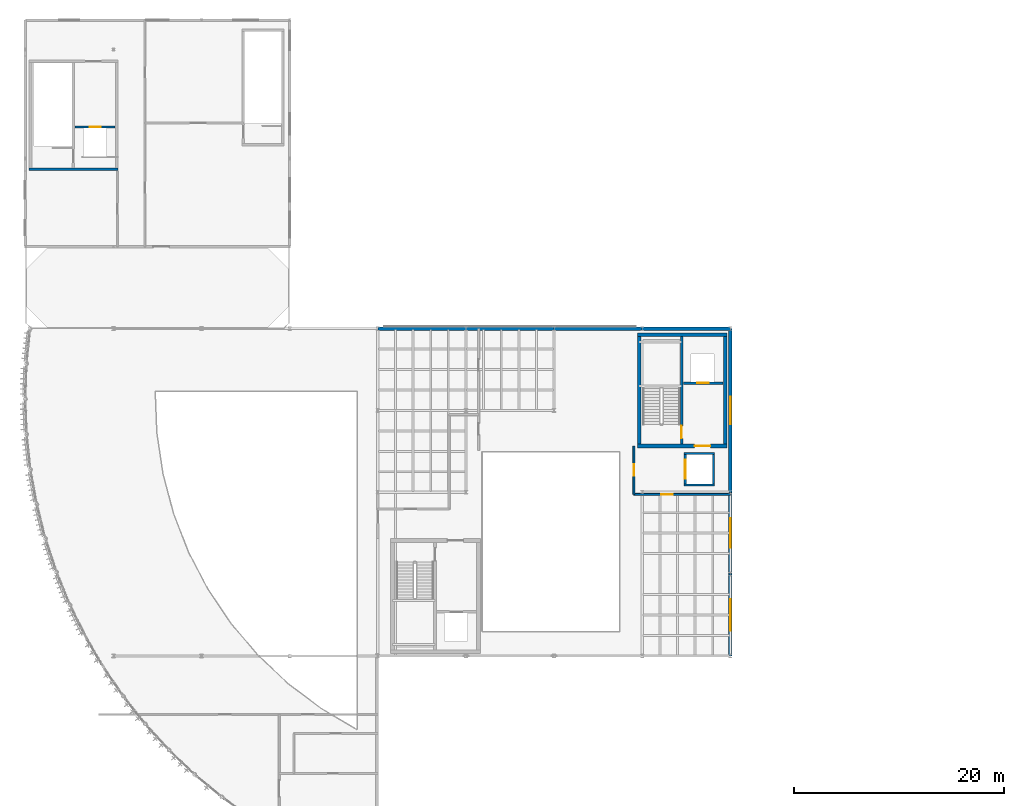
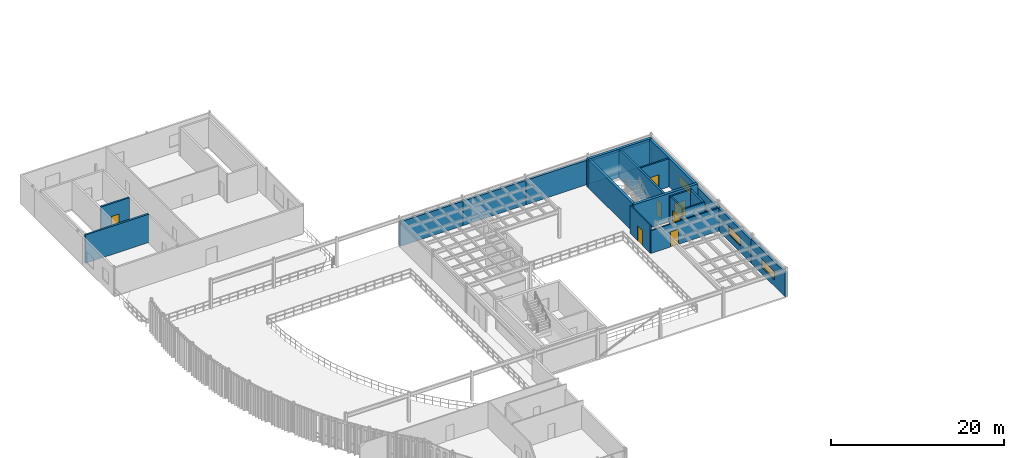
# One storey, part 22 of 32: 21 walls, 7 doors, 3 windows, 10 openings.
"""IFC4 building model written with IfcOpenShell, lengths in metres."""

from ifc_helpers import new_model, si_unit, direction, frame, frame_2d, origin, place, context, subcontext, project, spatial, rectangle, extrude, material, layer, layer_set, type_object, element, fill, save


model = new_model("IFC4")

# Units and contexts
model_context = context("Model", 3, precision=1e-05, world=origin(), true_north=direction((0.0, 1.0)))
body_context = subcontext(model_context, "Body", "Model", "MODEL_VIEW")
ifc_project = project(units=[si_unit("LENGTHUNIT", "METRE"), si_unit("AREAUNIT", "SQUARE_METRE"), si_unit("VOLUMEUNIT", "CUBIC_METRE"), si_unit("PLANEANGLEUNIT", "RADIAN"), si_unit("MASSUNIT", "GRAM", prefix="KILO")], contexts=[model_context])

# Site, building, storey
site_placement = place(None, origin())
site = spatial("IfcSite", under=ifc_project, at=site_placement, CompositionType="ELEMENT")
building_placement = place(site_placement, origin())
building = spatial("IfcBuilding", under=site, at=building_placement, Name="Selat Folded Stagehouse", CompositionType="ELEMENT")
storey_placement = place(building_placement, frame((0.0, 0.0, 19.199951171875)))
storey = spatial("IfcBuildingStorey", under=building, at=storey_placement, Name="L04", CompositionType="ELEMENT", Elevation=19.199951171875)

# Wall, opening, door
ifc_material_1 = material(Name="Concrete C40/50", Category="concrete")
ifc_layer_1 = layer(ifc_material_1, 0.179931640625)
ifc_layer_set_1 = layer_set([ifc_layer_1], Name="Concrete C40/50")
wall_type_1 = type_object("IfcWallType", Name="WAL-COMP-180", PredefinedType="STANDARD", material=ifc_layer_set_1)
wall_1_placement = place(storey_placement, frame((58.0, 38.800048828125, 0.0), z_axis=(0.0, 0.0, 1.0), x_axis=(0.0, 1.0, 0.0)))
wall_1 = element("IfcWall", 1, at=wall_1_placement, inside=storey, type_object=wall_type_1, Name="L04 interior partition wall 116", PredefinedType="STANDARD", context=body_context, shape_type="SweptSolid", body=[
    extrude(rectangle(XDim=4.599853515625, YDim=0.179931640625, at=frame_2d((2.2998046875, 0.0))), origin(), (0.0, 0.0, 1.0), 3.9521484375),
])
opening_1_placement = place(wall_1_placement, frame((1.75, 0.0, 0.0)))
opening_1 = element("IfcOpeningElement", 2, at=opening_1_placement, cuts=wall_1, Name="Opening FD-60", PredefinedType="OPENING", context=body_context, shape_type="SweptSolid", body=[
    extrude(rectangle(XDim=1.10009765625, YDim=2.14990234375, at=frame_2d((0.550048828125, 1.074951171875))), frame((0.0, 0.099853515625, 0.0), z_axis=(0.0, -1.0, 0.0), x_axis=(1.0, 0.0, 0.0)), (0.0, 0.0, 1.0), 0.199951171875),
])
ifc_material_2 = material(Name="Fire-rated timber core door", Category="wood")
door_type_1 = type_object("IfcDoorType", Name="DOR-FIRE-60", OperationType="NOTDEFINED", PredefinedType="DOOR", material=ifc_material_2)
door_1_placement = place(opening_1_placement, origin())
door_1 = element("IfcDoor", 3, at=door_1_placement, inside=storey, type_object=door_type_1, Name="L04 interior door IWAL-L04-116-1", OperationType="SINGLE_SWING_RIGHT", OverallHeight=2.14990234375, OverallWidth=1.10009765625, PredefinedType="DOOR", context=body_context, shape_type="SweptSolid", body=[
    extrude(rectangle(XDim=1.10009765625, YDim=2.14990234375, at=frame_2d((0.550048828125, 1.074951171875))), frame((0.0, 0.02490234375, 0.0), z_axis=(0.0, -1.0, 0.0), x_axis=(1.0, 0.0, 0.0)), (0.0, 0.0, 1.0), 0.050048828125),
])
fill(opening_1, door_1)

wall_2_placement = place(storey_placement, frame((58.0, 38.800048828125, 0.0), z_axis=(0.0, 0.0, 1.0), x_axis=(1.0, 0.0, 0.0)))
wall_2 = element("IfcWall", 4, at=wall_2_placement, inside=storey, type_object=wall_type_1, Name="L04 interior partition wall 117", PredefinedType="STANDARD", context=body_context, shape_type="SweptSolid", body=[
    extrude(rectangle(XDim=9.199951171875, YDim=0.179931640625, at=frame_2d((4.60009765625, 0.0))), origin(), (0.0, 0.0, 1.0), 3.22216796875),
])
opening_2_placement = place(wall_2_placement, frame((2.592041015625, 0.0, 0.0)))
opening_2 = element("IfcOpeningElement", 5, at=opening_2_placement, cuts=wall_2, Name="Opening FD-60", PredefinedType="OPENING", context=body_context, shape_type="SweptSolid", body=[
    extrude(rectangle(XDim=1.10009765625, YDim=2.14990234375, at=frame_2d((0.550048828125, 1.074951171875))), frame((0.0, 0.099853515625, 0.0), z_axis=(0.0, -1.0, 0.0), x_axis=(1.0, 0.0, 0.0)), (0.0, 0.0, 1.0), 0.199951171875),
])
door_2_placement = place(opening_2_placement, origin())
door_2 = element("IfcDoor", 6, at=door_2_placement, inside=storey, type_object=door_type_1, Name="L04 interior door IWAL-L04-117-1", OperationType="SINGLE_SWING_LEFT", OverallHeight=2.14990234375, OverallWidth=1.10009765625, PredefinedType="DOOR", context=body_context, shape_type="SweptSolid", body=[
    extrude(rectangle(XDim=1.10009765625, YDim=2.14990234375, at=frame_2d((0.550048828125, 1.074951171875))), frame((0.0, 0.02490234375, 0.0), z_axis=(0.0, -1.0, 0.0), x_axis=(1.0, 0.0, 0.0)), (0.0, 0.0, 1.0), 0.050048828125),
])
fill(opening_2, door_2)

ifc_layer_2 = layer(ifc_material_1, 0.215087890625)
ifc_layer_set_2 = layer_set([ifc_layer_2], Name="Concrete C40/50")
wall_type_2 = type_object("IfcWallType", Name="WAL-COMP-215", PredefinedType="STANDARD", material=ifc_layer_set_2)
wall_3_placement = place(storey_placement, frame((62.7099609375, 49.39990234375, 0.0), z_axis=(0.0, 0.0, 1.0), x_axis=(1.0, 0.0, 0.0)))
wall_3 = element("IfcWall", 7, at=wall_3_placement, inside=storey, type_object=wall_type_2, Name="L04 FL-02 lift shaft front wall", PredefinedType="STANDARD", context=body_context, shape_type="SweptSolid", body=[
    extrude(rectangle(XDim=3.794921875, YDim=0.215087890625, at=frame_2d((1.8974609375, 0.0))), origin(), (0.0, 0.0, 1.0), 3.991943359375),
])
opening_3_placement = place(wall_3_placement, frame((1.347412109375, 0.0, 0.0)))
opening_3 = element("IfcOpeningElement", 8, at=opening_3_placement, cuts=wall_3, Name="Opening LD-01", PredefinedType="OPENING", context=body_context, shape_type="SweptSolid", body=[
    extrude(rectangle(XDim=1.10009765625, YDim=2.199951171875, at=frame_2d((0.550048828125, 1.10009765625))), frame((0.0, 0.117431640625, 0.0), z_axis=(0.0, -1.0, 0.0), x_axis=(1.0, 0.0, 0.0)), (0.0, 0.0, 1.0), 0.235107421875),
])
ifc_material_3 = material(Name="Firefighting lift stainless sliding landing door", Category="wood")
door_type_2 = type_object("IfcDoorType", Name="DOR-LFT-1100", OperationType="NOTDEFINED", PredefinedType="DOOR", material=ifc_material_3)
door_3_placement = place(opening_3_placement, origin())
door_3 = element("IfcDoor", 9, at=door_3_placement, inside=storey, type_object=door_type_2, Name="L04 FL-02 lift sliding landing door", OperationType="SLIDING_TO_RIGHT", OverallHeight=2.199951171875, OverallWidth=1.10009765625, PredefinedType="DOOR", context=body_context, shape_type="SweptSolid", body=[
    extrude(rectangle(XDim=1.10009765625, YDim=2.199951171875, at=frame_2d((0.550048828125, 1.10009765625))), frame((0.0, 0.02490234375, 0.0), z_axis=(0.0, -1.0, 0.0), x_axis=(1.0, 0.0, 0.0)), (0.0, 0.0, 1.0), 0.050048828125),
])
fill(opening_3, door_3)

# Walls
for number, where, z_axis, x_axis, name in (
    (10, (65.70751953125, 39.699951171875, 0.0), (0.0, 0.0, 1.0), (-1.0, 0.0, 0.0), "L04 GL-01 south shaft wall"),
    (11, (62.79248046875, 42.699951171875, 0.0), (0.0, 0.0, 1.0), (1.0, 0.0, 0.0), "L04 GL-01 north shaft wall"),
):
    element("IfcWall", number, at=place(storey_placement, frame(where, z_axis=z_axis, x_axis=x_axis)), inside=storey, type_object=wall_type_2, Name=name, PredefinedType="STANDARD", context=body_context, shape_type="SweptSolid", body=[
        extrude(rectangle(XDim=2.9150390625, YDim=0.215087890625, at=frame_2d((1.45751953125, 0.0))), origin(), (0.0, 0.0, 1.0), 3.991943359375),
    ])

# Wall, opening, door
wall_4_placement = place(storey_placement, frame((62.89990234375, 39.8076171875, 0.0), z_axis=(0.0, 0.0, 1.0), x_axis=(0.0, 1.0, 0.0)))
wall_4 = element("IfcWall", 12, at=wall_4_placement, inside=storey, type_object=wall_type_2, Name="L04 GL-01 west front wall", PredefinedType="STANDARD", context=body_context, shape_type="SweptSolid", body=[
    extrude(rectangle(XDim=2.784912109375, YDim=0.215087890625, at=frame_2d((1.392578125, 0.0))), origin(), (0.0, 0.0, 1.0), 3.991943359375),
])
opening_4_placement = place(wall_4_placement, frame((0.492431640625, 0.0, 0.0)))
opening_4 = element("IfcOpeningElement", 13, at=opening_4_placement, cuts=wall_4, Name="Opening LD-02", PredefinedType="OPENING", context=body_context, shape_type="SweptSolid", body=[
    extrude(rectangle(XDim=1.800048828125, YDim=2.39990234375, at=frame_2d((0.89990234375, 1.199951171875))), frame((0.0, 0.117431640625, 0.0), z_axis=(0.0, -1.0, 0.0), x_axis=(1.0, 0.0, 0.0)), (0.0, 0.0, 1.0), 0.235107421875),
])
ifc_material_4 = material(Name="Goods lift heavy sliding landing door", Category="wood")
door_type_3 = type_object("IfcDoorType", Name="DOR-LFT-1800", OperationType="NOTDEFINED", PredefinedType="DOOR", material=ifc_material_4)
door_4_placement = place(opening_4_placement, origin())
door_4 = element("IfcDoor", 14, at=door_4_placement, inside=storey, type_object=door_type_3, Name="L04 GL-01 lift sliding landing door", OperationType="SLIDING_TO_RIGHT", OverallHeight=2.39990234375, OverallWidth=1.800048828125, PredefinedType="DOOR", context=body_context, shape_type="SweptSolid", body=[
    extrude(rectangle(XDim=1.800048828125, YDim=2.39990234375, at=frame_2d((0.89990234375, 1.199951171875))), frame((0.0, 0.02490234375, 0.0), z_axis=(0.0, -1.0, 0.0), x_axis=(1.0, 0.0, 0.0)), (0.0, 0.0, 1.0), 0.050048828125),
])
fill(opening_4, door_4)

# Wall
wall_5_placement = place(storey_placement, frame((65.60009765625, 42.592529296875, 0.0), z_axis=(0.0, 0.0, 1.0), x_axis=(0.0, -1.0, 0.0)))
element("IfcWall", 15, at=wall_5_placement, inside=storey, type_object=wall_type_2, Name="L04 GL-01 east shaft wall", PredefinedType="STANDARD", context=body_context, shape_type="SweptSolid", body=[
    extrude(rectangle(XDim=2.784912109375, YDim=0.215087890625, at=frame_2d((1.392578125, 0.0))), origin(), (0.0, 0.0, 1.0), 3.991943359375),
])

# Wall, opening, door
wall_6_placement = place(storey_placement, frame((4.739990234375, 73.800048828125, 0.0), z_axis=(0.0, 0.0, 1.0), x_axis=(1.0, 0.0, 0.0)))
wall_6 = element("IfcWall", 16, at=wall_6_placement, inside=storey, type_object=wall_type_2, Name="L04 PL-04 lift shaft front wall", PredefinedType="STANDARD", context=body_context, shape_type="SweptSolid", body=[
    extrude(rectangle(XDim=3.81494140625, YDim=0.215087890625, at=frame_2d((1.907470703125, 0.0))), origin(), (0.0, 0.0, 1.0), 3.991943359375),
])
opening_5_placement = place(wall_6_placement, frame((1.382568359375, 0.0, 0.0)))
opening_5 = element("IfcOpeningElement", 17, at=opening_5_placement, cuts=wall_6, Name="Opening LD-03", PredefinedType="OPENING", context=body_context, shape_type="SweptSolid", body=[
    extrude(rectangle(XDim=1.050048828125, YDim=2.14990234375, at=frame_2d((0.52490234375, 1.074951171875))), frame((0.0, 0.117431640625, 0.0), z_axis=(0.0, -1.0, 0.0), x_axis=(1.0, 0.0, 0.0)), (0.0, 0.0, 1.0), 0.235107421875),
])
ifc_material_5 = material(Name="Passenger lift stainless sliding landing door", Category="wood")
door_type_4 = type_object("IfcDoorType", Name="DOR-LFT-1050", OperationType="NOTDEFINED", PredefinedType="DOOR", material=ifc_material_5)
door_5_placement = place(opening_5_placement, origin())
door_5 = element("IfcDoor", 18, at=door_5_placement, inside=storey, type_object=door_type_4, Name="L04 PL-04 lift sliding landing door", OperationType="SLIDING_TO_RIGHT", OverallHeight=2.14990234375, OverallWidth=1.050048828125, PredefinedType="DOOR", context=body_context, shape_type="SweptSolid", body=[
    extrude(rectangle(XDim=1.050048828125, YDim=2.14990234375, at=frame_2d((0.52490234375, 1.074951171875))), frame((0.0, 0.02490234375, 0.0), z_axis=(0.0, -1.0, 0.0), x_axis=(1.0, 0.0, 0.0)), (0.0, 0.0, 1.0), 0.050048828125),
])
fill(opening_5, door_5)

ifc_material_6 = material(Name="Concrete C50/60", Category="concrete")
ifc_layer_3 = layer(ifc_material_6, 0.25)
ifc_layer_set_3 = layer_set([ifc_layer_3], Name="Concrete C50/60")
wall_type_3 = type_object("IfcWallType", Name="WAL-CORE-250", PredefinedType="SHEAR", material=ifc_layer_set_3)
wall_7_placement = place(storey_placement, frame((62.550048828125, 53.824951171875, 0.0), z_axis=(0.0, 0.0, 1.0), x_axis=(0.0, -1.0, 0.0)))
wall_7 = element("IfcWall", 19, at=wall_7_placement, inside=storey, type_object=wall_type_3, Name="L04 CR-2 internal core divider wall", PredefinedType="SHEAR", context=body_context, shape_type="SweptSolid", body=[
    extrude(rectangle(XDim=10.25, YDim=0.25, at=frame_2d((5.125, 0.0))), origin(), (0.0, 0.0, 1.0), 4.0),
])
opening_6_placement = place(wall_7_placement, frame((8.5, 0.0, 0.0)))
opening_6 = element("IfcOpeningElement", 20, at=opening_6_placement, cuts=wall_7, Name="Opening FD-120", PredefinedType="OPENING", context=body_context, shape_type="SweptSolid", body=[
    extrude(rectangle(XDim=1.199951171875, YDim=2.14990234375, at=frame_2d((0.60009765625, 1.074951171875))), frame((0.0, 0.135009765625, 0.0), z_axis=(0.0, -1.0, 0.0), x_axis=(1.0, 0.0, 0.0)), (0.0, 0.0, 1.0), 0.27001953125),
])
ifc_material_7 = material(Name="Fire-rated steel acoustic door", Category="steel")
door_type_5 = type_object("IfcDoorType", Name="DOR-FIRE-120", OperationType="NOTDEFINED", PredefinedType="DOOR", material=ifc_material_7)
door_6_placement = place(opening_6_placement, origin())
door_6 = element("IfcDoor", 21, at=door_6_placement, inside=storey, type_object=door_type_5, Name="L04 CR-2 protected stair fire door", OperationType="SINGLE_SWING_LEFT", OverallHeight=2.14990234375, OverallWidth=1.199951171875, PredefinedType="DOOR", context=body_context, shape_type="SweptSolid", body=[
    extrude(rectangle(XDim=1.199951171875, YDim=2.14990234375, at=frame_2d((0.60009765625, 1.074951171875))), frame((0.0, 0.02490234375, 0.0), z_axis=(0.0, -1.0, 0.0), x_axis=(1.0, 0.0, 0.0)), (0.0, 0.0, 1.0), 0.050048828125),
])
fill(opening_6, door_6)

# Walls
wall_8_placement = place(storey_placement, frame((8.824951171875, 69.800048828125, 0.0), z_axis=(0.0, 0.0, 1.0), x_axis=(-1.0, 0.0, 0.0)))
element("IfcWall", 22, at=wall_8_placement, inside=storey, type_object=wall_type_3, Name="L04 CR-5 south shear wall", PredefinedType="SHEAR", context=body_context, shape_type="SweptSolid", body=[
    extrude(rectangle(XDim=8.449951171875, YDim=0.25, at=frame_2d((4.22509765625, 0.0))), origin(), (0.0, 0.0, 1.0), 4.0),
])
ifc_material_8 = material(Name="Precast concrete C40/50", Category="concrete")
ifc_layer_4 = layer(ifc_material_8, 0.324951171875)
ifc_layer_set_4 = layer_set([ifc_layer_4], Name="Precast concrete C40/50")
wall_type_4 = type_object("IfcWallType", Name="WAL-EXT-325", PredefinedType="STANDARD", material=ifc_layer_set_4)
for number, where, z_axis, x_axis, name in (
    (23, (33.60009765625, 54.60009765625, 0.0), (0.0, 0.0, 1.0), (1.0, 0.0, 0.0), "L04 exterior facade wall EW-L04-V2N-33"),
    (24, (42.0, 54.60009765625, 0.0), (0.0, 0.0, 1.0), (1.0, 0.0, 0.0), "L04 exterior facade wall EW-L04-V2N-42"),
):
    element("IfcWall", number, at=place(storey_placement, frame(where, z_axis=z_axis, x_axis=x_axis)), inside=storey, type_object=wall_type_4, Name=name, PredefinedType="STANDARD", context=body_context, shape_type="SweptSolid", body=[
        extrude(rectangle(XDim=8.39990234375, YDim=0.324951171875, at=frame_2d((4.199951171875, 0.0))), origin(), (0.0, 0.0, 1.0), 3.45263671875),
    ])
wall_9_placement = place(storey_placement, frame((50.39990234375, 54.60009765625, 0.0), z_axis=(0.0, 0.0, 1.0), x_axis=(1.0, 0.0, 0.0)))
element("IfcWall", 25, at=wall_9_placement, inside=storey, type_object=wall_type_4, Name="L04 exterior facade wall EW-L04-V2N-50", PredefinedType="STANDARD", context=body_context, shape_type="SweptSolid", body=[
    extrude(rectangle(XDim=8.400146484375, YDim=0.324951171875, at=frame_2d((4.2001953125, 0.0))), origin(), (0.0, 0.0, 1.0), 3.45263671875),
])
wall_10_placement = place(storey_placement, frame((58.800048828125, 54.60009765625, 0.0), z_axis=(0.0, 0.0, 1.0), x_axis=(1.0, 0.0, 0.0)))
element("IfcWall", 26, at=wall_10_placement, inside=storey, type_object=wall_type_4, Name="L04 exterior facade wall EW-L04-V2N-58", PredefinedType="STANDARD", context=body_context, shape_type="SweptSolid", body=[
    extrude(rectangle(XDim=8.39990234375, YDim=0.324951171875, at=frame_2d((4.199951171875, 0.0))), origin(), (0.0, 0.0, 1.0), 3.22216796875),
])

# Wall, opening, window
wall_11_placement = place(storey_placement, frame((67.199951171875, 54.60009765625, 0.0), z_axis=(0.0, 0.0, 1.0), x_axis=(0.0, -1.0, 0.0)))
wall_11 = element("IfcWall", 27, at=wall_11_placement, inside=storey, type_object=wall_type_4, Name="L04 exterior facade wall EW-L04-V2E-39", PredefinedType="STANDARD", context=body_context, shape_type="SweptSolid", body=[
    extrude(rectangle(XDim=15.60009765625, YDim=0.324951171875, at=frame_2d((7.800048828125, 0.0))), origin(), (0.0, 0.0, 1.0), 3.22216796875),
])
opening_7_placement = place(wall_11_placement, frame((6.5, 0.0, 0.89990234375)))
opening_7 = element("IfcOpeningElement", 28, at=opening_7_placement, cuts=wall_11, Name="Opening WN-11", PredefinedType="OPENING", context=body_context, shape_type="SweptSolid", body=[
    extrude(rectangle(XDim=2.60009765625, YDim=1.199951171875, at=frame_2d((1.300048828125, 0.60009765625))), frame((0.0, 0.17236328125, 0.0), z_axis=(0.0, -1.0, 0.0), x_axis=(1.0, 0.0, 0.0)), (0.0, 0.0, 1.0), 0.344970703125),
])
ifc_material_9 = material(Name="Thermally broken aluminium and acoustic low-E glass", Category="aluminium")
window_type_1 = type_object("IfcWindowType", Name="WIN-CL-2600x1200", PartitioningType="SINGLE_PANEL", PredefinedType="WINDOW", material=ifc_material_9)
window_1_placement = place(opening_7_placement, origin())
window_1 = element("IfcWindow", 29, at=window_1_placement, inside=storey, type_object=window_type_1, Name="L04 exterior window EW-L04-V2E-39-1", OverallHeight=1.199951171875, OverallWidth=2.60009765625, PartitioningType="SINGLE_PANEL", PredefinedType="WINDOW", context=body_context, shape_type="SweptSolid", body=[
    extrude(rectangle(XDim=2.60009765625, YDim=1.199951171875, at=frame_2d((1.300048828125, 0.60009765625))), frame((0.0, 0.030029296875, 0.0), z_axis=(0.0, -1.0, 0.0), x_axis=(1.0, 0.0, 0.0)), (0.0, 0.0, 1.0), 0.06005859375),
])
fill(opening_7, window_1)

wall_12_placement = place(storey_placement, frame((67.199951171875, 39.0, 0.0), z_axis=(0.0, 0.0, 1.0), x_axis=(0.0, -1.0, 0.0)))
wall_12 = element("IfcWall", 30, at=wall_12_placement, inside=storey, type_object=wall_type_4, Name="L04 exterior facade wall EW-L04-V2E-31", PredefinedType="STANDARD", context=body_context, shape_type="SweptSolid", body=[
    extrude(rectangle(XDim=7.800048828125, YDim=0.324951171875, at=frame_2d((3.89990234375, 0.0))), origin(), (0.0, 0.0, 1.0), 3.22216796875),
])
opening_8_placement = place(wall_12_placement, frame((2.5, 0.0, 0.89990234375)))
opening_8 = element("IfcOpeningElement", 31, at=opening_8_placement, cuts=wall_12, Name="Opening WN-10", PredefinedType="OPENING", context=body_context, shape_type="SweptSolid", body=[
    extrude(rectangle(XDim=2.800048828125, YDim=1.199951171875, at=frame_2d((1.39990234375, 0.60009765625))), frame((0.0, 0.17236328125, 0.0), z_axis=(0.0, -1.0, 0.0), x_axis=(1.0, 0.0, 0.0)), (0.0, 0.0, 1.0), 0.344970703125),
])
window_type_2 = type_object("IfcWindowType", Name="WIN-CL-2800x1200", PartitioningType="SINGLE_PANEL", PredefinedType="WINDOW", material=ifc_material_9)
window_2_placement = place(opening_8_placement, origin())
window_2 = element("IfcWindow", 32, at=window_2_placement, inside=storey, type_object=window_type_2, Name="L04 exterior window EW-L04-V2E-31-1", OverallHeight=1.199951171875, OverallWidth=2.800048828125, PartitioningType="SINGLE_PANEL", PredefinedType="WINDOW", context=body_context, shape_type="SweptSolid", body=[
    extrude(rectangle(XDim=2.800048828125, YDim=1.199951171875, at=frame_2d((1.39990234375, 0.60009765625))), frame((0.0, 0.030029296875, 0.0), z_axis=(0.0, -1.0, 0.0), x_axis=(1.0, 0.0, 0.0)), (0.0, 0.0, 1.0), 0.06005859375),
])
fill(opening_8, window_2)

wall_13_placement = place(storey_placement, frame((67.199951171875, 31.199951171875, 0.0), z_axis=(0.0, 0.0, 1.0), x_axis=(0.0, -1.0, 0.0)))
wall_13 = element("IfcWall", 33, at=wall_13_placement, inside=storey, type_object=wall_type_4, Name="L04 exterior facade wall EW-L04-V2E-23", PredefinedType="STANDARD", context=body_context, shape_type="SweptSolid", body=[
    extrude(rectangle(XDim=7.800048828125, YDim=0.324951171875, at=frame_2d((3.89990234375, 0.0))), origin(), (0.0, 0.0, 1.0), 3.45263671875),
])
opening_9_placement = place(wall_13_placement, frame((2.39990234375, 0.0, 0.89990234375)))
opening_9 = element("IfcOpeningElement", 34, at=opening_9_placement, cuts=wall_13, Name="Opening WN-09", PredefinedType="OPENING", context=body_context, shape_type="SweptSolid", body=[
    extrude(rectangle(XDim=3.0, YDim=1.199951171875, at=frame_2d((1.5, 0.60009765625))), frame((0.0, 0.17236328125, 0.0), z_axis=(0.0, -1.0, 0.0), x_axis=(1.0, 0.0, 0.0)), (0.0, 0.0, 1.0), 0.344970703125),
])
window_type_3 = type_object("IfcWindowType", Name="WIN-CL-3000x1200", PartitioningType="SINGLE_PANEL", PredefinedType="WINDOW", material=ifc_material_9)
window_3_placement = place(opening_9_placement, origin())
window_3 = element("IfcWindow", 35, at=window_3_placement, inside=storey, type_object=window_type_3, Name="L04 exterior window EW-L04-V2E-23-1", OverallHeight=1.199951171875, OverallWidth=3.0, PartitioningType="SINGLE_PANEL", PredefinedType="WINDOW", context=body_context, shape_type="SweptSolid", body=[
    extrude(rectangle(XDim=3.0, YDim=1.199951171875, at=frame_2d((1.5, 0.60009765625))), frame((0.0, 0.030029296875, 0.0), z_axis=(0.0, -1.0, 0.0), x_axis=(1.0, 0.0, 0.0)), (0.0, 0.0, 1.0), 0.06005859375),
])
fill(opening_9, window_3)

# Wall, opening, door
ifc_layer_5 = layer(ifc_material_6, 0.35009765625)
ifc_layer_set_5 = layer_set([ifc_layer_5], Name="Concrete C50/60")
wall_type_5 = type_object("IfcWallType", Name="WAL-SW-350", PredefinedType="SHEAR", material=ifc_layer_set_5)
wall_14_placement = place(storey_placement, frame((66.875, 43.39990234375, 0.0), z_axis=(0.0, 0.0, 1.0), x_axis=(-1.0, 0.0, 0.0)))
wall_14 = element("IfcWall", 36, at=wall_14_placement, inside=storey, type_object=wall_type_5, Name="L04 CR-2 south shear wall", PredefinedType="SHEAR", context=body_context, shape_type="SweptSolid", body=[
    extrude(rectangle(XDim=8.550048828125, YDim=0.35009765625, at=frame_2d((4.27490234375, 0.0))), origin(), (0.0, 0.0, 1.0), 4.0),
])
opening_10_placement = place(wall_14_placement, frame((1.574951171875, 0.0, 0.0)))
opening_10 = element("IfcOpeningElement", 37, at=opening_10_placement, cuts=wall_14, Name="Opening FD-120B", PredefinedType="OPENING", context=body_context, shape_type="SweptSolid", body=[
    extrude(rectangle(XDim=1.5, YDim=2.14990234375, at=frame_2d((0.75, 1.074951171875))), frame((0.0, 0.18505859375, 0.0), z_axis=(0.0, -1.0, 0.0), x_axis=(1.0, 0.0, 0.0)), (0.0, 0.0, 1.0), 0.3701171875),
])
ifc_material_10 = material(Name="Firefighting lobby double-leaf fire door", Category="wood")
door_type_6 = type_object("IfcDoorType", Name="DOR-FFL-1500", OperationType="NOTDEFINED", PredefinedType="DOOR", material=ifc_material_10)
door_7_placement = place(opening_10_placement, origin())
door_7 = element("IfcDoor", 38, at=door_7_placement, inside=storey, type_object=door_type_6, Name="L04 CR-2 core lobby fire door", OperationType="SINGLE_SWING_RIGHT", OverallHeight=2.14990234375, OverallWidth=1.5, PredefinedType="DOOR", context=body_context, shape_type="SweptSolid", body=[
    extrude(rectangle(XDim=1.5, YDim=2.14990234375, at=frame_2d((0.75, 1.074951171875))), frame((0.0, 0.02490234375, 0.0), z_axis=(0.0, -1.0, 0.0), x_axis=(1.0, 0.0, 0.0)), (0.0, 0.0, 1.0), 0.050048828125),
])
fill(opening_10, door_7)

# Walls
wall_15_placement = place(storey_placement, frame((58.324951171875, 54.0, 0.0), z_axis=(0.0, 0.0, 1.0), x_axis=(1.0, 0.0, 0.0)))
element("IfcWall", 39, at=wall_15_placement, inside=storey, type_object=wall_type_5, Name="L04 CR-2 north shear wall", PredefinedType="SHEAR", context=body_context, shape_type="SweptSolid", body=[
    extrude(rectangle(XDim=8.550048828125, YDim=0.35009765625, at=frame_2d((4.27490234375, 0.0))), origin(), (0.0, 0.0, 1.0), 4.0),
])
for number, where, z_axis, x_axis, name in (
    (40, (58.5, 43.574951171875, 0.0), (0.0, 0.0, 1.0), (0.0, 1.0, 0.0), "L04 CR-2 west shear wall"),
    (41, (66.699951171875, 53.824951171875, 0.0), (0.0, 0.0, 1.0), (0.0, -1.0, 0.0), "L04 CR-2 east shear wall"),
):
    element("IfcWall", number, at=place(storey_placement, frame(where, z_axis=z_axis, x_axis=x_axis)), inside=storey, type_object=wall_type_5, Name=name, PredefinedType="SHEAR", context=body_context, shape_type="SweptSolid", body=[
        extrude(rectangle(XDim=10.25, YDim=0.35009765625, at=frame_2d((5.125, 0.0))), origin(), (0.0, 0.0, 1.0), 4.0),
    ])

save(model, "model.ifc")
